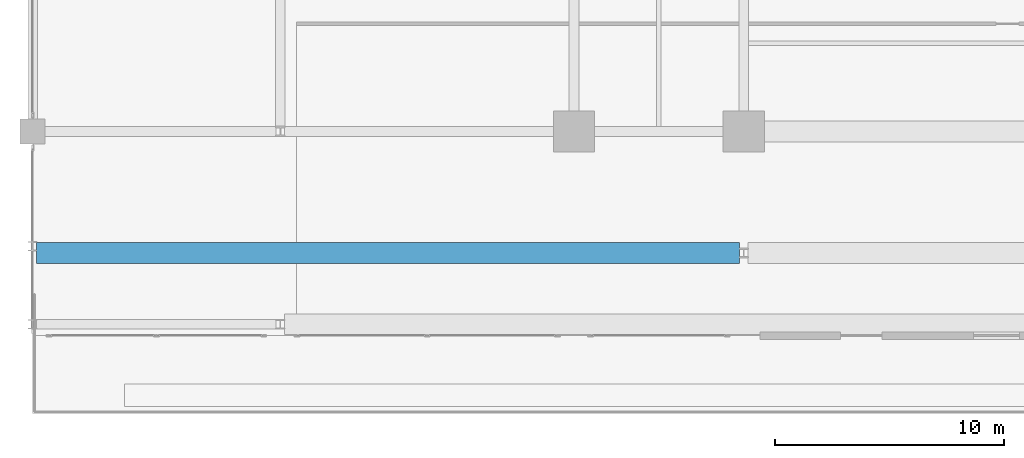
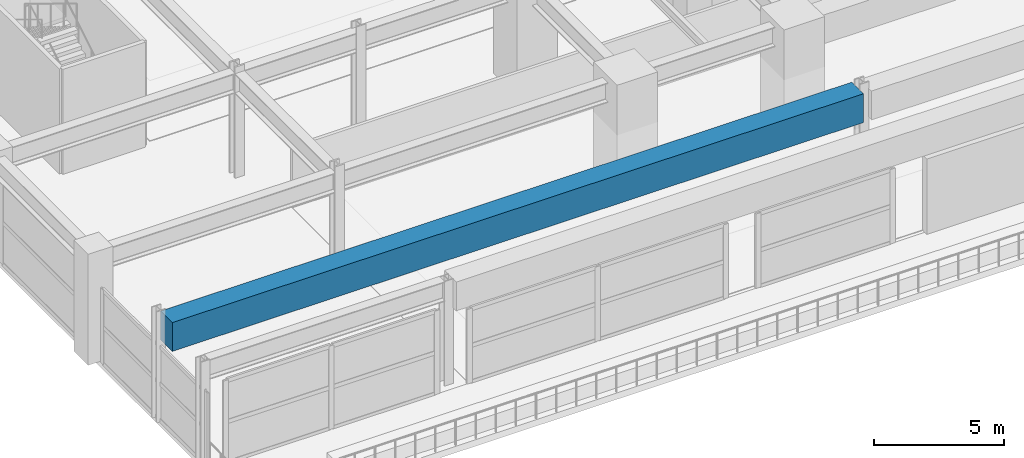
# One storey, part 5 of 45: 1 beam.
"""IFC4 building model written with IfcOpenShell, lengths in metres."""

import ifcopenshell
import ifcopenshell.guid

model = None  # the IFC model being written
_history = None  # IfcOwnerHistory: only IFC2X3 demands one
_inside = {}  # id of a spatial element -> (the spatial element, [elements in it])
_under = {}  # id of a project, library or spatial element -> (it, [spatial elements below it])
_declared = {}  # id of a project -> (the project, [libraries it declares])
_typed = {}  # id of a type object -> (the type object, [elements of that type])
_made_of = {}  # id of a material, layer set ... -> (it, [elements and type objects made of it])


def new_model(schema):
    """Start an empty IFC model of exactly this schema.

    Asked for "IFC4X3", IfcOpenShell would pick the latest addendum, in which some entities
    have other attributes; the version numbers below select the first issue.
    IFC2X3 requires an IfcOwnerHistory on every rooted entity: one is made here for all.
    """
    global model, _history
    if schema == "IFC4X3":
        model = ifcopenshell.file(schema_version=(4, 3, 0, 0))
    else:
        model = ifcopenshell.file(schema=schema)
    _inside.clear()
    _under.clear()
    _declared.clear()
    _typed.clear()
    _made_of.clear()
    _history = None
    if model.schema == "IFC2X3":
        org = make("IfcOrganization", Name="unknown")
        user = make(
            "IfcPersonAndOrganization",
            ThePerson=make("IfcPerson", FamilyName="unknown"),
            TheOrganization=org,
        )
        app = make(
            "IfcApplication",
            ApplicationDeveloper=org,
            Version="unknown",
            ApplicationFullName="unknown",
            ApplicationIdentifier="unknown",
        )
        _history = make(
            "IfcOwnerHistory",
            OwningUser=user,
            OwningApplication=app,
            ChangeAction="ADDED",
            CreationDate=0,
        )
    return model


def make(cls, **values):
    """One entity of the class cls with the attributes given. An attribute that is None is left unset."""
    return model.create_entity(
        cls, **{name: value for name, value in values.items() if value is not None}
    )


def rooted(cls, **values):
    """An entity with a GlobalId (a new one), such as an element, a storey or a relation."""
    return make(cls, GlobalId=ifcopenshell.guid.new(), OwnerHistory=_history, **values)


def si_unit(unit_type, name, prefix=None):
    """IfcSIUnit, for example si_unit("LENGTHUNIT", "METRE", prefix="MILLI")."""
    return make("IfcSIUnit", UnitType=unit_type, Prefix=prefix, Name=name)


def assignment(units):
    """IfcUnitAssignment: the units of a project."""
    return None if units is None else make("IfcUnitAssignment", Units=units)


def point(xyz):
    """IfcCartesianPoint."""
    return None if xyz is None else make("IfcCartesianPoint", Coordinates=xyz)


def direction(xyz):
    """IfcDirection."""
    return None if xyz is None else make("IfcDirection", DirectionRatios=xyz)


def frame(location, z_axis=None, x_axis=None):
    """IfcAxis2Placement3D, a coordinate frame: its origin and axes. An axis left out is left unset."""
    return make(
        "IfcAxis2Placement3D",
        Location=point(location),
        Axis=direction(z_axis),
        RefDirection=direction(x_axis),
    )


def frame_2d(location, x_axis=None):
    """IfcAxis2Placement2D, a coordinate frame in the plane: its origin and x axis."""
    return make(
        "IfcAxis2Placement2D", Location=point(location), RefDirection=direction(x_axis)
    )


def origin():
    """The frame at (0, 0, 0) with its axes left unset."""
    return frame((0.0, 0.0, 0.0))


def origin_2d():
    """The frame at (0, 0) in the plane with its x axis left unset."""
    return frame_2d((0.0, 0.0))


def place(relative_to, where):
    """IfcLocalPlacement: puts the frame where relative to a parent placement (None: the world)."""
    return make(
        "IfcLocalPlacement", PlacementRelTo=relative_to, RelativePlacement=where
    )


def context(
    kind, dimensions, precision=None, world=None, true_north=None, identifier=None
):
    """IfcGeometricRepresentationContext, for example the 3D "Model" context."""
    return make(
        "IfcGeometricRepresentationContext",
        ContextIdentifier=identifier,
        ContextType=kind,
        CoordinateSpaceDimension=dimensions,
        Precision=precision,
        WorldCoordinateSystem=world,
        TrueNorth=true_north,
    )


def subcontext(parent, identifier, kind, view, scale=None):
    """IfcGeometricRepresentationSubContext, for example "Body" below "Model"."""
    return make(
        "IfcGeometricRepresentationSubContext",
        ContextIdentifier=identifier,
        ContextType=kind,
        ParentContext=parent,
        TargetScale=scale,
        TargetView=view,
    )


def project(units=None, contexts=None):
    """IfcProject with its units and contexts."""
    return rooted(
        "IfcProject",
        Name="project",
        RepresentationContexts=contexts,
        UnitsInContext=assignment(units),
    )


def spatial(cls, under=None, at=None, **own):
    """A site, building, storey or space (cls), placed at a placement, below another one or the project."""
    s = rooted(cls, ObjectPlacement=at, **own)
    if under is not None:
        _under.setdefault(under.id(), (under, []))[1].append(s)
    return s


def profile(cls, at=None, kind="AREA", **sizes):
    """A parametric profile (cls). Its sizes go by their IFC names, for example OverallWidth=200.0."""
    return make(cls, ProfileType=kind, Position=at, **sizes)


def rectangle(**sizes):
    """IfcRectangleProfileDef."""
    return profile("IfcRectangleProfileDef", **sizes)


def extrude(swept, where, along, depth):
    """IfcExtrudedAreaSolid: the profile swept, set in the frame where, extruded along a direction by depth."""
    return make(
        "IfcExtrudedAreaSolid",
        SweptArea=swept,
        Position=where,
        ExtrudedDirection=direction(along),
        Depth=depth,
    )


def shape(context_of_items, identifier, shape_type, items):
    """IfcShapeRepresentation: the items that make up one representation, for example the "Body"."""
    return make(
        "IfcShapeRepresentation",
        ContextOfItems=context_of_items,
        RepresentationIdentifier=identifier,
        RepresentationType=shape_type,
        Items=items,
    )


def material(Name=None, Category=None):
    """IfcMaterial."""
    return make("IfcMaterial", Name=Name, Category=Category)


def material_profile(
    of_material, cross_section, Name=None, Category=None, Priority=None
):
    """IfcMaterialProfile: a cross section and its material."""
    return make(
        "IfcMaterialProfile",
        Name=Name,
        Material=of_material,
        Profile=cross_section,
        Priority=Priority,
        Category=Category,
    )


def profile_set(profiles, Name=None, composite=None):
    """IfcMaterialProfileSet."""
    return make(
        "IfcMaterialProfileSet",
        Name=Name,
        MaterialProfiles=profiles,
        CompositeProfile=composite,
    )


def made_of(thing, what):
    """Note that an element or type object is made of a material, layer set ...; save() writes the relation."""
    if what is not None:
        _made_of.setdefault(what.id(), (what, []))[1].append(thing)
    return thing


def type_object(cls, material=None, **own):
    """A type object (cls), such as IfcWallType, which elements share."""
    return made_of(rooted(cls, **own), material)


def element(
    cls,
    number,
    at=None,
    inside=None,
    cuts=None,
    type_object=None,
    material=None,
    context=None,
    identifier="Body",
    shape_type=None,
    held_by="IfcProductDefinitionShape",
    body=None,
    shapes=None,
    **own,
):
    """One element of the class cls, such as IfcWall. Its Tag is "e" and its number.

    at: its placement. inside: the storey or other place that contains it. cuts: it is an
    opening in that element (IfcRelVoidsElement). A single representation is given by context,
    identifier, shape_type and body (its items); several are given by shapes. held_by: the class
    of the entity that holds the representations. save() writes the other relations.
    """
    e = rooted(cls, Tag="e%d" % number, ObjectPlacement=at, **own)
    if body is not None:
        shapes = [shape(context, identifier, shape_type, body)]
    if shapes is not None:
        e.Representation = make(held_by, Representations=shapes)
    if inside is not None:
        _inside.setdefault(inside.id(), (inside, []))[1].append(e)
    if cuts is not None:
        rooted(
            "IfcRelVoidsElement", RelatingBuildingElement=cuts, RelatedOpeningElement=e
        )
    if type_object is not None:
        _typed.setdefault(type_object.id(), (type_object, []))[1].append(e)
    return made_of(e, material)


def aggregate(whole, parts):
    """IfcRelAggregates: a whole, such as a stair, and the parts it consists of."""
    return rooted("IfcRelAggregates", RelatingObject=whole, RelatedObjects=parts)


def save(model, path):
    """Write the relations noted so far, then the file.

    IfcRelAggregates (storeys below a building ...), IfcRelContainedInSpatialStructure (elements
    in a storey), IfcRelDefinesByType, IfcRelAssociatesMaterial and IfcRelDeclares: one each for
    every whole, place, type object, material and project.
    """
    for whole, parts in _under.values():
        aggregate(whole, parts)
    for where, things in _inside.values():
        rooted(
            "IfcRelContainedInSpatialStructure",
            RelatedElements=things,
            RelatingStructure=where,
        )
    for kind, things in _typed.values():
        rooted("IfcRelDefinesByType", RelatedObjects=things, RelatingType=kind)
    for what, things in _made_of.values():
        rooted("IfcRelAssociatesMaterial", RelatedObjects=things, RelatingMaterial=what)
    for by, libraries in _declared.values():
        rooted("IfcRelDeclares", RelatingContext=by, RelatedDefinitions=libraries)
    model.write(path)


model = new_model("IFC4")

# Units and contexts
model_context = context("Model", 3, precision=1e-05, world=origin(), true_north=direction((0.0, 1.0)))
body_context = subcontext(model_context, "Body", "Model", "MODEL_VIEW")
ifc_project = project(units=[si_unit("LENGTHUNIT", "METRE"), si_unit("AREAUNIT", "SQUARE_METRE"), si_unit("VOLUMEUNIT", "CUBIC_METRE"), si_unit("PLANEANGLEUNIT", "RADIAN"), si_unit("MASSUNIT", "GRAM", prefix="KILO")], contexts=[model_context])

# Site, building, storey
site_placement = place(None, origin())
site = spatial("IfcSite", under=ifc_project, at=site_placement, CompositionType="ELEMENT")
building_placement = place(site_placement, origin())
building = spatial("IfcBuilding", under=site, at=building_placement, Name="Kovane Verandah Tower", CompositionType="ELEMENT")
storey_placement = place(building_placement, frame((0.0, 0.0, 6.0)))
storey = spatial("IfcBuildingStorey", under=building, at=storey_placement, Name="L01", CompositionType="ELEMENT", Elevation=6.0)

# Beam
ifc_material = material(Name="Concrete C80/95", Category="concrete")
ifc_material_profile = material_profile(ifc_material, rectangle(XDim=0.89990234375, YDim=1.35009765625, at=origin_2d()), Name="RCB900x1350")
ifc_profile_set = profile_set([ifc_material_profile], Name="Concrete C80/95")
beam_type = type_object("IfcBeamType", Name="BM-TR-900x1350", PredefinedType="BEAM", material=ifc_profile_set)
beam_placement = place(storey_placement, frame((-1.820068359375, 5.5, 4.22509765625), z_axis=(1.0, 0.0, 0.0), x_axis=(0.0, 1.0, 0.0)))
element("IfcBeam", 1, at=beam_placement, inside=storey, type_object=beam_type, Name="L01 South Terrace Girder S2-1", PredefinedType="BEAM", context=body_context, shape_type="SweptSolid", body=[
    extrude(rectangle(XDim=0.89990234375, YDim=1.35009765625, at=origin_2d()), origin(), (0.0, 0.0, 1.0), 30.64013671875),
])

save(model, "model.ifc")
